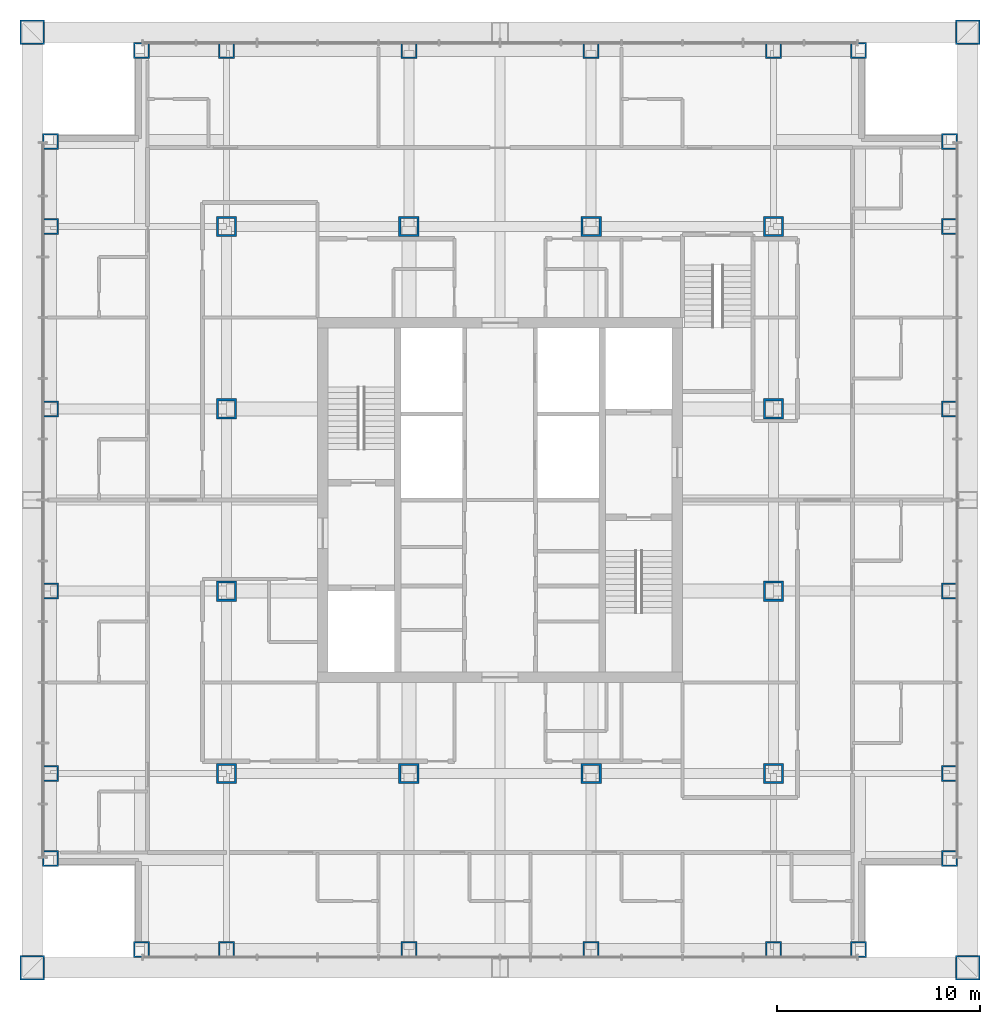
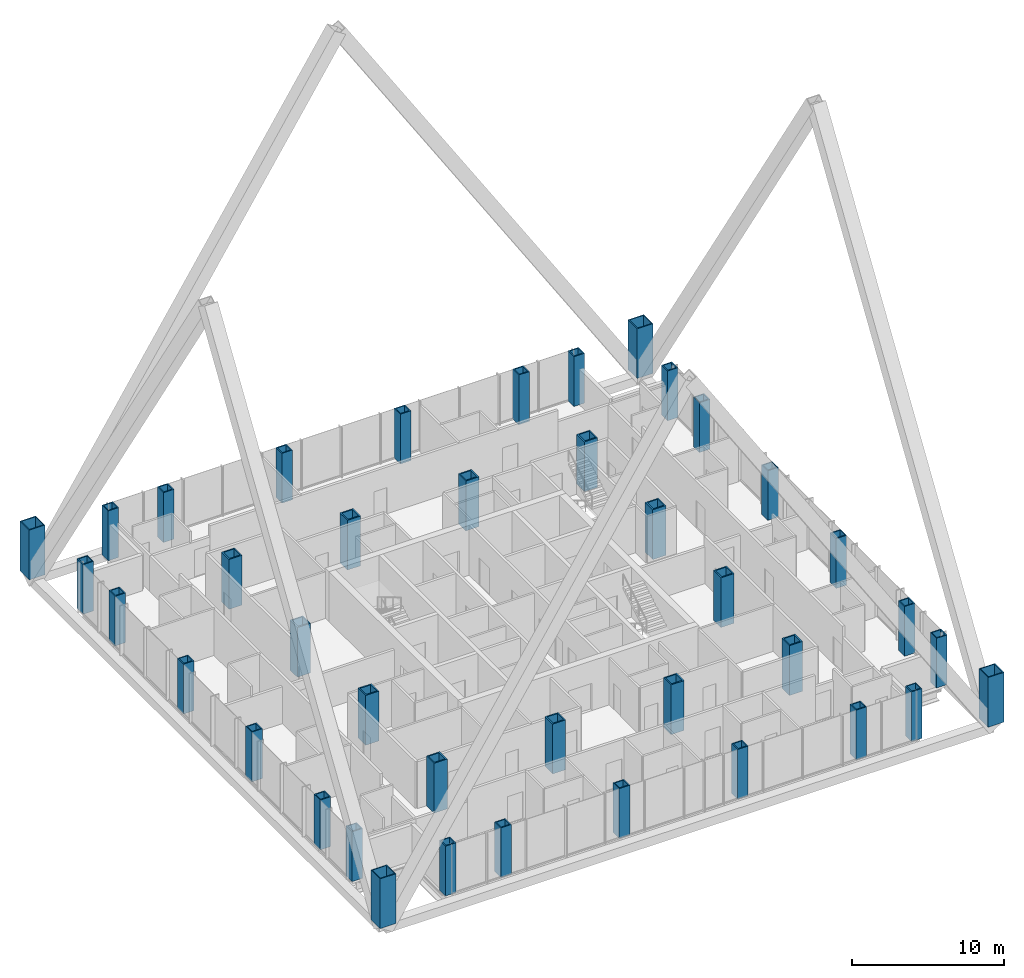
# One storey, part 1 of 16: 40 columns.
"""IFC4 building model written with IfcOpenShell, lengths in metres."""

from ifc_helpers import new_model, si_unit, direction, frame, origin, origin_2d, place, context, subcontext, project, spatial, hollow_rectangle, extrude, material, material_profile, profile_set, type_object, element, save


model = new_model("IFC4")

# Units and contexts
model_context = context("Model", 3, precision=1e-05, world=origin(), true_north=direction((0.0, 1.0)))
body_context = subcontext(model_context, "Body", "Model", "MODEL_VIEW")
ifc_project = project(units=[si_unit("LENGTHUNIT", "METRE"), si_unit("AREAUNIT", "SQUARE_METRE"), si_unit("VOLUMEUNIT", "CUBIC_METRE"), si_unit("PLANEANGLEUNIT", "RADIAN"), si_unit("MASSUNIT", "GRAM", prefix="KILO")], contexts=[model_context])

# Site, building, storey
site_placement = place(None, origin())
site = spatial("IfcSite", under=ifc_project, at=site_placement, CompositionType="ELEMENT")
building_placement = place(site_placement, origin())
building = spatial("IfcBuilding", under=site, at=building_placement, Name="Malebo Sky Hospital", CompositionType="ELEMENT")
storey_placement = place(building_placement, frame((0.0, 0.0, 209.0)))
storey = spatial("IfcBuildingStorey", under=building, at=storey_placement, Name="L50", CompositionType="ELEMENT", Elevation=209.0)

# Columns
ifc_material = material(Name="Steel S460", Category="steel")
ifc_material_profile_1 = material_profile(ifc_material, hollow_rectangle(XDim=1.0, YDim=1.0, WallThickness=0.10009765625, at=origin_2d()), Name="BOX 1000x1000x100")
ifc_profile_set_1 = profile_set([ifc_material_profile_1], Name="Steel S460")
column_type_1 = type_object("IfcColumnType", Name="INNER COLUMN BOX 1000x1000x100", PredefinedType="COLUMN", material=ifc_profile_set_1)
for number, where, z_axis, x_axis, name in (
    (1, (46.5, 48.5, 0.0), (0.0, 0.0, 1.0), (1.0, 0.0, 0.0), "Column IC9 L50"),
    (2, (73.5, 48.5, 0.0), (0.0, 0.0, 1.0), (1.0, 0.0, 0.0), "Column IC9 L50"),
    (3, (73.5, 75.5, 0.0), (0.0, 0.0, 1.0), (1.0, 0.0, 0.0), "Column IC9 L50"),
    (4, (46.5, 75.5, 0.0), (0.0, 0.0, 1.0), (1.0, 0.0, 0.0), "Column IC9 L50"),
    (5, (55.5, 48.5, 0.0), (0.0, 0.0, 1.0), (1.0, 0.0, 0.0), "Column IC9 L50"),
    (6, (64.5, 48.5, 0.0), (0.0, 0.0, 1.0), (1.0, 0.0, 0.0), "Column IC9 L50"),
    (7, (55.5, 75.5, 0.0), (0.0, 0.0, 1.0), (1.0, 0.0, 0.0), "Column IC9 L50"),
    (8, (64.5, 75.5, 0.0), (0.0, 0.0, 1.0), (1.0, 0.0, 0.0), "Column IC9 L50"),
    (9, (46.5, 57.5, 0.0), (0.0, 0.0, 1.0), (1.0, 0.0, 0.0), "Column IC9 L50"),
    (10, (46.5, 66.5, 0.0), (0.0, 0.0, 1.0), (1.0, 0.0, 0.0), "Column IC9 L50"),
    (11, (73.5, 57.5, 0.0), (0.0, 0.0, 1.0), (1.0, 0.0, 0.0), "Column IC9 L50"),
    (12, (73.5, 66.5, 0.0), (0.0, 0.0, 1.0), (1.0, 0.0, 0.0), "Column IC9 L50"),
):
    element("IfcColumn", number, at=place(storey_placement, frame(where, z_axis=z_axis, x_axis=x_axis)), inside=storey, type_object=column_type_1, Name=name, PredefinedType="COLUMN", context=body_context, shape_type="SweptSolid", body=[
        extrude(hollow_rectangle(XDim=1.0, YDim=1.0, WallThickness=0.10009765625, at=origin_2d()), origin(), (0.0, 0.0, 1.0), 4.0),
    ])
ifc_material_profile_2 = material_profile(ifc_material, hollow_rectangle(XDim=1.199951171875, YDim=1.199951171875, WallThickness=0.070068359375, at=origin_2d()), Name="BOX 1200x1200x70")
ifc_profile_set_2 = profile_set([ifc_material_profile_2], Name="Steel S460")
column_type_2 = type_object("IfcColumnType", Name="MEGA COLUMN BOX 1200x1200x70", PredefinedType="COLUMN", material=ifc_profile_set_2)
for number, where, z_axis, x_axis, name in (
    (13, (36.89990234375, 38.89990234375, 0.0), (0.0, 0.0, 1.0), (1.0, 0.0, 0.0), "Mega column SW L50"),
    (14, (83.10009765625, 38.89990234375, 0.0), (0.0, 0.0, 1.0), (1.0, 0.0, 0.0), "Mega column SE L50"),
    (15, (83.10009765625, 85.10009765625, 0.0), (0.0, 0.0, 1.0), (1.0, 0.0, 0.0), "Mega column NE L50"),
    (16, (36.89990234375, 85.10009765625, 0.0), (0.0, 0.0, 1.0), (1.0, 0.0, 0.0), "Mega column NW L50"),
):
    element("IfcColumn", number, at=place(storey_placement, frame(where, z_axis=z_axis, x_axis=x_axis)), inside=storey, type_object=column_type_2, Name=name, PredefinedType="COLUMN", context=body_context, shape_type="SweptSolid", body=[
        extrude(hollow_rectangle(XDim=1.199951171875, YDim=1.199951171875, WallThickness=0.070068359375, at=origin_2d()), origin(), (0.0, 0.0, 1.0), 4.0),
    ])
ifc_material_profile_3 = material_profile(ifc_material, hollow_rectangle(XDim=0.800048828125, YDim=0.800048828125, WallThickness=0.080078125, at=origin_2d()), Name="BOX 800x800x80")
ifc_profile_set_3 = profile_set([ifc_material_profile_3], Name="Steel S460")
column_type_3 = type_object("IfcColumnType", Name="PERIMETER COLUMN BOX 800x800x80", PredefinedType="COLUMN", material=ifc_profile_set_3)
for number, where, z_axis, x_axis, name in (
    (17, (42.300048828125, 39.800048828125, 0.0), (0.0, 0.0, 1.0), (1.0, 0.0, 0.0), "Column PC7 L50"),
    (18, (42.300048828125, 84.199951171875, 0.0), (0.0, 0.0, 1.0), (1.0, 0.0, 0.0), "Column PC7 L50"),
    (19, (37.800048828125, 44.300048828125, 0.0), (0.0, 0.0, 1.0), (1.0, 0.0, 0.0), "Column PC7 L50"),
    (20, (82.199951171875, 44.300048828125, 0.0), (0.0, 0.0, 1.0), (1.0, 0.0, 0.0), "Column PC7 L50"),
    (21, (46.5, 39.800048828125, 0.0), (0.0, 0.0, 1.0), (1.0, 0.0, 0.0), "Column PC7 L50"),
    (22, (46.5, 84.199951171875, 0.0), (0.0, 0.0, 1.0), (1.0, 0.0, 0.0), "Column PC7 L50"),
    (23, (37.800048828125, 48.5, 0.0), (0.0, 0.0, 1.0), (1.0, 0.0, 0.0), "Column PC7 L50"),
    (24, (82.199951171875, 48.5, 0.0), (0.0, 0.0, 1.0), (1.0, 0.0, 0.0), "Column PC7 L50"),
    (25, (55.5, 39.800048828125, 0.0), (0.0, 0.0, 1.0), (1.0, 0.0, 0.0), "Column PC7 L50"),
    (26, (55.5, 84.199951171875, 0.0), (0.0, 0.0, 1.0), (1.0, 0.0, 0.0), "Column PC7 L50"),
    (27, (37.800048828125, 57.5, 0.0), (0.0, 0.0, 1.0), (1.0, 0.0, 0.0), "Column PC7 L50"),
    (28, (82.199951171875, 57.5, 0.0), (0.0, 0.0, 1.0), (1.0, 0.0, 0.0), "Column PC7 L50"),
    (29, (64.5, 39.800048828125, 0.0), (0.0, 0.0, 1.0), (1.0, 0.0, 0.0), "Column PC7 L50"),
    (30, (64.5, 84.199951171875, 0.0), (0.0, 0.0, 1.0), (1.0, 0.0, 0.0), "Column PC7 L50"),
    (31, (37.800048828125, 66.5, 0.0), (0.0, 0.0, 1.0), (1.0, 0.0, 0.0), "Column PC7 L50"),
    (32, (82.199951171875, 66.5, 0.0), (0.0, 0.0, 1.0), (1.0, 0.0, 0.0), "Column PC7 L50"),
    (33, (73.5, 39.800048828125, 0.0), (0.0, 0.0, 1.0), (1.0, 0.0, 0.0), "Column PC7 L50"),
    (34, (73.5, 84.199951171875, 0.0), (0.0, 0.0, 1.0), (1.0, 0.0, 0.0), "Column PC7 L50"),
    (35, (37.800048828125, 75.5, 0.0), (0.0, 0.0, 1.0), (1.0, 0.0, 0.0), "Column PC7 L50"),
    (36, (82.199951171875, 75.5, 0.0), (0.0, 0.0, 1.0), (1.0, 0.0, 0.0), "Column PC7 L50"),
    (37, (77.699951171875, 39.800048828125, 0.0), (0.0, 0.0, 1.0), (1.0, 0.0, 0.0), "Column PC7 L50"),
    (38, (77.699951171875, 84.199951171875, 0.0), (0.0, 0.0, 1.0), (1.0, 0.0, 0.0), "Column PC7 L50"),
    (39, (37.800048828125, 79.699951171875, 0.0), (0.0, 0.0, 1.0), (1.0, 0.0, 0.0), "Column PC7 L50"),
    (40, (82.199951171875, 79.699951171875, 0.0), (0.0, 0.0, 1.0), (1.0, 0.0, 0.0), "Column PC7 L50"),
):
    element("IfcColumn", number, at=place(storey_placement, frame(where, z_axis=z_axis, x_axis=x_axis)), inside=storey, type_object=column_type_3, Name=name, PredefinedType="COLUMN", context=body_context, shape_type="SweptSolid", body=[
        extrude(hollow_rectangle(XDim=0.800048828125, YDim=0.800048828125, WallThickness=0.080078125, at=origin_2d()), origin(), (0.0, 0.0, 1.0), 4.0),
    ])

save(model, "model.ifc")
